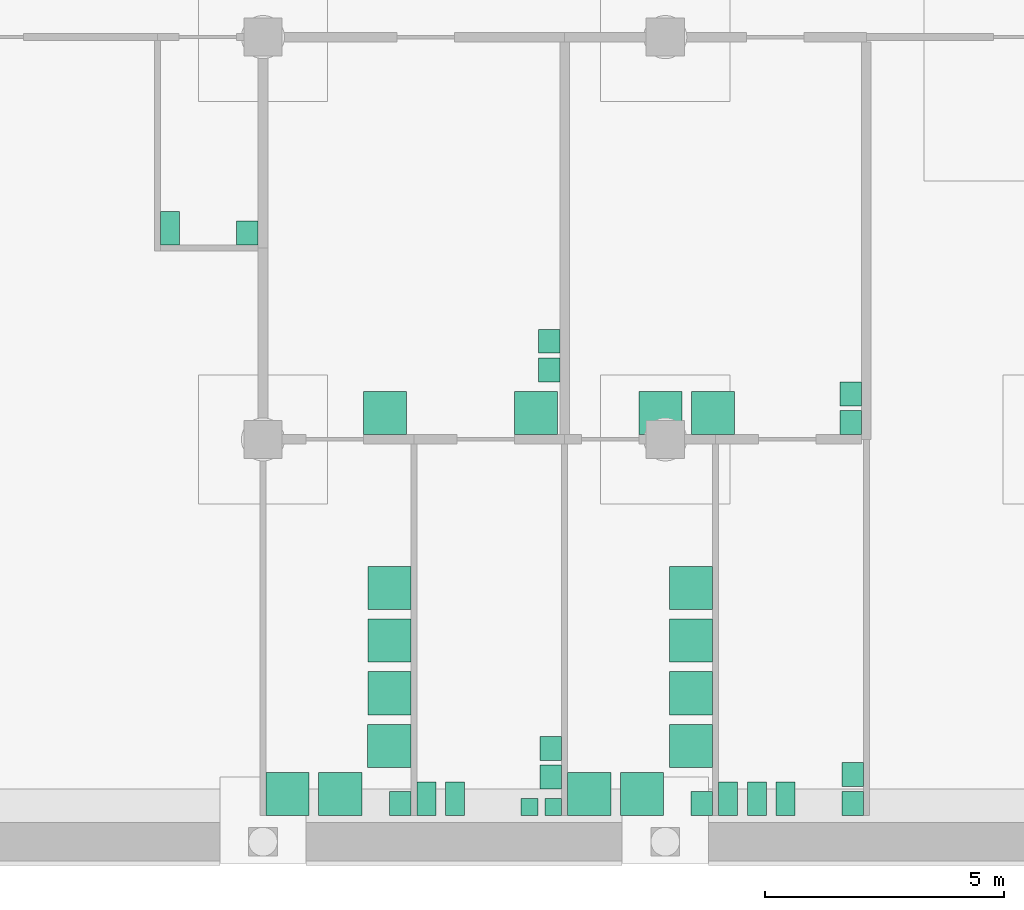
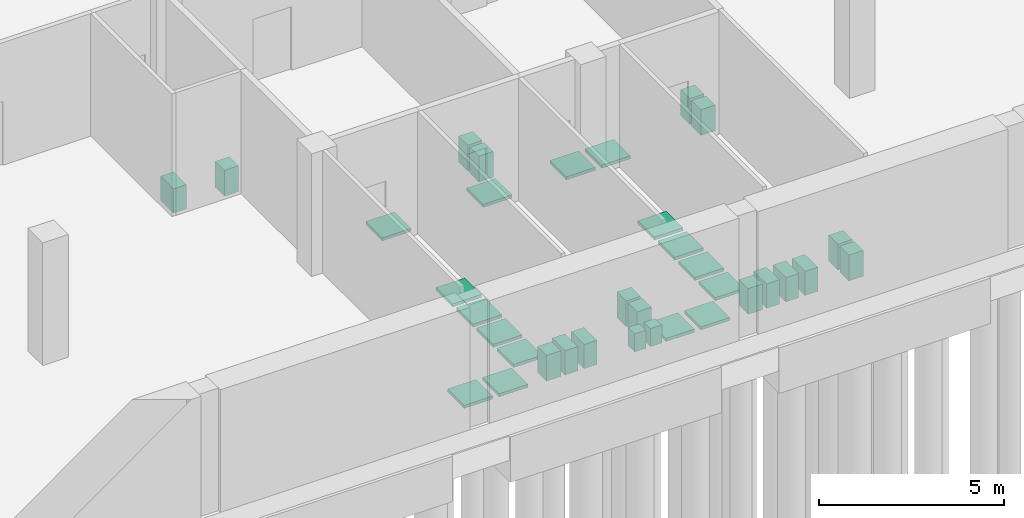
# One storey, part 22 of 23: 35 sanitary terminals.
"""IFC4 building model written with IfcOpenShell, lengths in metres."""

from ifc_helpers import new_model, si_unit, direction, frame, origin, origin_2d, place, context, subcontext, project, spatial, rectangle, extrude, element, save


model = new_model("IFC4")

# Units and contexts
model_context = context("Model", 3, precision=1e-05, world=origin(), true_north=direction((0.0, 1.0)))
body_context = subcontext(model_context, "Body", "Model", "MODEL_VIEW")
ifc_project = project(units=[si_unit("LENGTHUNIT", "METRE"), si_unit("AREAUNIT", "SQUARE_METRE"), si_unit("VOLUMEUNIT", "CUBIC_METRE"), si_unit("PLANEANGLEUNIT", "RADIAN"), si_unit("MASSUNIT", "GRAM", prefix="KILO")], contexts=[model_context])

# Site, building, storey
site_placement = place(None, origin())
site = spatial("IfcSite", under=ifc_project, at=site_placement, CompositionType="ELEMENT")
building_placement = place(site_placement, origin())
building = spatial("IfcBuilding", under=site, at=building_placement, Name="Hlaing Beacon Police Headquarters", CompositionType="ELEMENT")
storey_placement = place(building_placement, frame((0.0, 0.0, -4.5)))
storey = spatial("IfcBuildingStorey", under=building, at=storey_placement, Name="B1", CompositionType="ELEMENT", Elevation=-4.5)

# Sanitary terminals
sanitary_terminal_1_placement = place(storey_placement, frame((31.662109375, 12.81201171875, 0.0), z_axis=(0.0, 0.0, 1.0), x_axis=(1.0, 0.0, 0.0)))
element("IfcSanitaryTerminal", 1, at=sanitary_terminal_1_placement, inside=storey, Name="Water closet", PredefinedType="TOILETPAN", context=body_context, shape_type="SweptSolid", body=[
    extrude(rectangle(XDim=0.39990234375, YDim=0.699951171875, at=origin_2d()), origin(), (0.0, 0.0, 1.0), 0.800048828125),
])
sanitary_terminal_2_placement = place(storey_placement, frame((33.27490234375, 12.712890625, 0.0), z_axis=(0.0, 0.0, 1.0), x_axis=(1.0, 0.0, 0.0)))
element("IfcSanitaryTerminal", 2, at=sanitary_terminal_2_placement, inside=storey, Name="Wash basin", PredefinedType="WASHHANDBASIN", context=body_context, shape_type="SweptSolid", body=[
    extrude(rectangle(XDim=0.449951171875, YDim=0.5, at=origin_2d()), origin(), (0.0, 0.0, 1.0), 0.85009765625),
])
for number, where, z_axis, x_axis, name in (
    (3, (36.14990234375, 8.949951171875, 0.0), (0.0, 0.0, 1.0), (1.0, 0.0, 0.0), "Shower tray"),
    (4, (39.300048828125, 8.949951171875, 0.0), (0.0, 0.0, 1.0), (1.0, 0.0, 0.0), "Shower tray"),
):
    element("IfcSanitaryTerminal", number, at=place(storey_placement, frame(where, z_axis=z_axis, x_axis=x_axis)), inside=storey, Name=name, PredefinedType="SHOWER", context=body_context, shape_type="SweptSolid", body=[
        extrude(rectangle(XDim=0.89990234375, YDim=0.89990234375, at=origin_2d()), origin(), (0.0, 0.0, 1.0), 0.10009765625),
    ])
for number, where, z_axis, x_axis, name in (
    (5, (39.574951171875, 9.85009765625, 0.0), (0.0, 0.0, 1.0), (1.0, 0.0, 0.0), "Wash basin"),
    (6, (39.574951171875, 10.449951171875, 0.0), (0.0, 0.0, 1.0), (1.0, 0.0, 0.0), "Wash basin"),
):
    element("IfcSanitaryTerminal", number, at=place(storey_placement, frame(where, z_axis=z_axis, x_axis=x_axis)), inside=storey, Name=name, PredefinedType="WASHHANDBASIN", context=body_context, shape_type="SweptSolid", body=[
        extrude(rectangle(XDim=0.449951171875, YDim=0.5, at=origin_2d()), origin(), (0.0, 0.0, 1.0), 0.85009765625),
    ])
for number, where, z_axis, x_axis, name in (
    (7, (34.113037109375, 1.0, 0.0), (0.0, 0.0, 1.0), (1.0, 0.0, 0.0), "Shower tray"),
    (8, (35.212890625, 1.0, 0.0), (0.0, 0.0, 1.0), (1.0, 0.0, 0.0), "Shower tray"),
    (9, (36.237060546875, 2.0, 0.0), (0.0, 0.0, 1.0), (1.0, 0.0, 0.0), "Shower tray"),
    (10, (36.238037109375, 3.10009765625, 0.0), (0.0, 0.0, 1.0), (1.0, 0.0, 0.0), "Shower tray"),
    (11, (36.238037109375, 4.199951171875, 0.0), (0.0, 0.0, 1.0), (1.0, 0.0, 0.0), "Shower tray"),
    (12, (36.238037109375, 5.300048828125, 0.0), (0.0, 0.0, 1.0), (1.0, 0.0, 0.0), "Shower tray"),
):
    element("IfcSanitaryTerminal", number, at=place(storey_placement, frame(where, z_axis=z_axis, x_axis=x_axis)), inside=storey, Name=name, PredefinedType="SHOWER", context=body_context, shape_type="SweptSolid", body=[
        extrude(rectangle(XDim=0.89990234375, YDim=0.89990234375, at=origin_2d()), origin(), (0.0, 0.0, 1.0), 0.10009765625),
    ])
sanitary_terminal_3_placement = place(storey_placement, frame((36.4619140625, 0.800048828125, 0.0), z_axis=(0.0, 0.0, 1.0), x_axis=(1.0, 0.0, 0.0)))
element("IfcSanitaryTerminal", 13, at=sanitary_terminal_3_placement, inside=storey, Name="Wash basin", PredefinedType="WASHHANDBASIN", context=body_context, shape_type="SweptSolid", body=[
    extrude(rectangle(XDim=0.449951171875, YDim=0.5, at=origin_2d()), origin(), (0.0, 0.0, 1.0), 0.85009765625),
])
for number, where, z_axis, x_axis, name in (
    (14, (37.012939453125, 0.89990234375, 0.0), (0.0, 0.0, 1.0), (1.0, 0.0, 0.0), "Water closet"),
    (15, (37.613037109375, 0.89990234375, 0.0), (0.0, 0.0, 1.0), (1.0, 0.0, 0.0), "Water closet"),
):
    element("IfcSanitaryTerminal", number, at=place(storey_placement, frame(where, z_axis=z_axis, x_axis=x_axis)), inside=storey, Name=name, PredefinedType="TOILETPAN", context=body_context, shape_type="SweptSolid", body=[
        extrude(rectangle(XDim=0.39990234375, YDim=0.699951171875, at=origin_2d()), origin(), (0.0, 0.0, 1.0), 0.800048828125),
    ])
for number, where, z_axis, x_axis, name in (
    (16, (39.662109375, 0.72509765625, 0.0), (0.0, 0.0, 1.0), (1.0, 0.0, 0.0), "Urinal"),
    (17, (39.1630859375, 0.72509765625, 0.0), (0.0, 0.0, 1.0), (1.0, 0.0, 0.0), "Urinal"),
):
    element("IfcSanitaryTerminal", number, at=place(storey_placement, frame(where, z_axis=z_axis, x_axis=x_axis)), inside=storey, Name=name, PredefinedType="URINAL", context=body_context, shape_type="SweptSolid", body=[
        extrude(rectangle(XDim=0.35009765625, YDim=0.35009765625, at=origin_2d()), origin(), (0.0, 0.0, 1.0), 0.60009765625),
    ])
for number, where, z_axis, x_axis, name in (
    (18, (39.612060546875, 1.35009765625, 0.0), (0.0, 0.0, 1.0), (1.0, 0.0, 0.0), "Wash basin"),
    (19, (39.612060546875, 1.949951171875, 0.0), (0.0, 0.0, 1.0), (1.0, 0.0, 0.0), "Wash basin"),
):
    element("IfcSanitaryTerminal", number, at=place(storey_placement, frame(where, z_axis=z_axis, x_axis=x_axis)), inside=storey, Name=name, PredefinedType="WASHHANDBASIN", context=body_context, shape_type="SweptSolid", body=[
        extrude(rectangle(XDim=0.449951171875, YDim=0.5, at=origin_2d()), origin(), (0.0, 0.0, 1.0), 0.85009765625),
    ])
for number, where, z_axis, x_axis, name in (
    (20, (41.89990234375, 8.949951171875, 0.0), (0.0, 0.0, 1.0), (1.0, 0.0, 0.0), "Shower tray"),
    (21, (43.0, 8.949951171875, 0.0), (0.0, 0.0, 1.0), (1.0, 0.0, 0.0), "Shower tray"),
):
    element("IfcSanitaryTerminal", number, at=place(storey_placement, frame(where, z_axis=z_axis, x_axis=x_axis)), inside=storey, Name=name, PredefinedType="SHOWER", context=body_context, shape_type="SweptSolid", body=[
        extrude(rectangle(XDim=0.89990234375, YDim=0.89990234375, at=origin_2d()), origin(), (0.0, 0.0, 1.0), 0.10009765625),
    ])
for number, where, z_axis, x_axis, name in (
    (22, (45.875, 8.75, 0.0), (0.0, 0.0, 1.0), (1.0, 0.0, 0.0), "Wash basin"),
    (23, (45.875, 9.35009765625, 0.0), (0.0, 0.0, 1.0), (1.0, 0.0, 0.0), "Wash basin"),
):
    element("IfcSanitaryTerminal", number, at=place(storey_placement, frame(where, z_axis=z_axis, x_axis=x_axis)), inside=storey, Name=name, PredefinedType="WASHHANDBASIN", context=body_context, shape_type="SweptSolid", body=[
        extrude(rectangle(XDim=0.449951171875, YDim=0.5, at=origin_2d()), origin(), (0.0, 0.0, 1.0), 0.85009765625),
    ])
for number, where, z_axis, x_axis, name in (
    (24, (40.4130859375, 1.0, 0.0), (0.0, 0.0, 1.0), (1.0, 0.0, 0.0), "Shower tray"),
    (25, (41.511962890625, 1.0, 0.0), (0.0, 0.0, 1.0), (1.0, 0.0, 0.0), "Shower tray"),
    (26, (42.537109375, 2.0, 0.0), (0.0, 0.0, 1.0), (1.0, 0.0, 0.0), "Shower tray"),
    (27, (42.537109375, 3.10009765625, 0.0), (0.0, 0.0, 1.0), (1.0, 0.0, 0.0), "Shower tray"),
    (28, (42.537109375, 4.199951171875, 0.0), (0.0, 0.0, 1.0), (1.0, 0.0, 0.0), "Shower tray"),
    (29, (42.537109375, 5.300048828125, 0.0), (0.0, 0.0, 1.0), (1.0, 0.0, 0.0), "Shower tray"),
):
    element("IfcSanitaryTerminal", number, at=place(storey_placement, frame(where, z_axis=z_axis, x_axis=x_axis)), inside=storey, Name=name, PredefinedType="SHOWER", context=body_context, shape_type="SweptSolid", body=[
        extrude(rectangle(XDim=0.89990234375, YDim=0.89990234375, at=origin_2d()), origin(), (0.0, 0.0, 1.0), 0.10009765625),
    ])
sanitary_terminal_4_placement = place(storey_placement, frame((42.761962890625, 0.800048828125, 0.0), z_axis=(0.0, 0.0, 1.0), x_axis=(1.0, 0.0, 0.0)))
element("IfcSanitaryTerminal", 30, at=sanitary_terminal_4_placement, inside=storey, Name="Wash basin", PredefinedType="WASHHANDBASIN", context=body_context, shape_type="SweptSolid", body=[
    extrude(rectangle(XDim=0.449951171875, YDim=0.5, at=origin_2d()), origin(), (0.0, 0.0, 1.0), 0.85009765625),
])
for number, where, z_axis, x_axis, name in (
    (31, (43.31298828125, 0.89990234375, 0.0), (0.0, 0.0, 1.0), (1.0, 0.0, 0.0), "Water closet"),
    (32, (43.9130859375, 0.89990234375, 0.0), (0.0, 0.0, 1.0), (1.0, 0.0, 0.0), "Water closet"),
    (33, (44.511962890625, 0.89990234375, 0.0), (0.0, 0.0, 1.0), (1.0, 0.0, 0.0), "Water closet"),
):
    element("IfcSanitaryTerminal", number, at=place(storey_placement, frame(where, z_axis=z_axis, x_axis=x_axis)), inside=storey, Name=name, PredefinedType="TOILETPAN", context=body_context, shape_type="SweptSolid", body=[
        extrude(rectangle(XDim=0.39990234375, YDim=0.699951171875, at=origin_2d()), origin(), (0.0, 0.0, 1.0), 0.800048828125),
    ])
for number, where, z_axis, x_axis, name in (
    (34, (45.912109375, 0.800048828125, 0.0), (0.0, 0.0, 1.0), (1.0, 0.0, 0.0), "Wash basin"),
    (35, (45.912109375, 1.39990234375, 0.0), (0.0, 0.0, 1.0), (1.0, 0.0, 0.0), "Wash basin"),
):
    element("IfcSanitaryTerminal", number, at=place(storey_placement, frame(where, z_axis=z_axis, x_axis=x_axis)), inside=storey, Name=name, PredefinedType="WASHHANDBASIN", context=body_context, shape_type="SweptSolid", body=[
        extrude(rectangle(XDim=0.449951171875, YDim=0.5, at=origin_2d()), origin(), (0.0, 0.0, 1.0), 0.85009765625),
    ])

save(model, "model.ifc")
